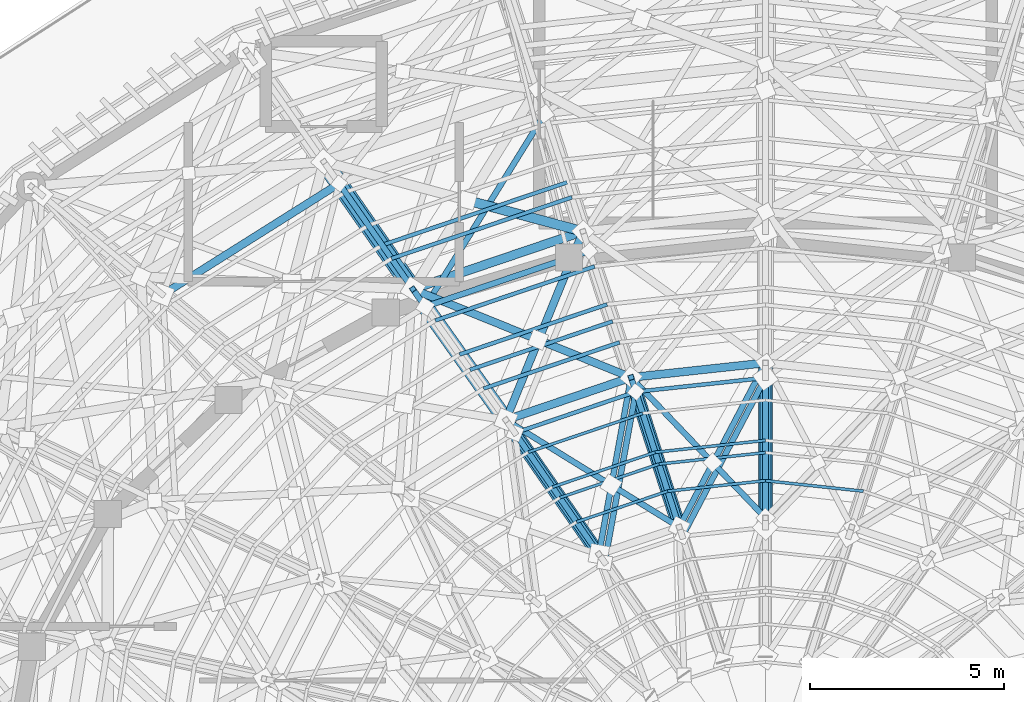
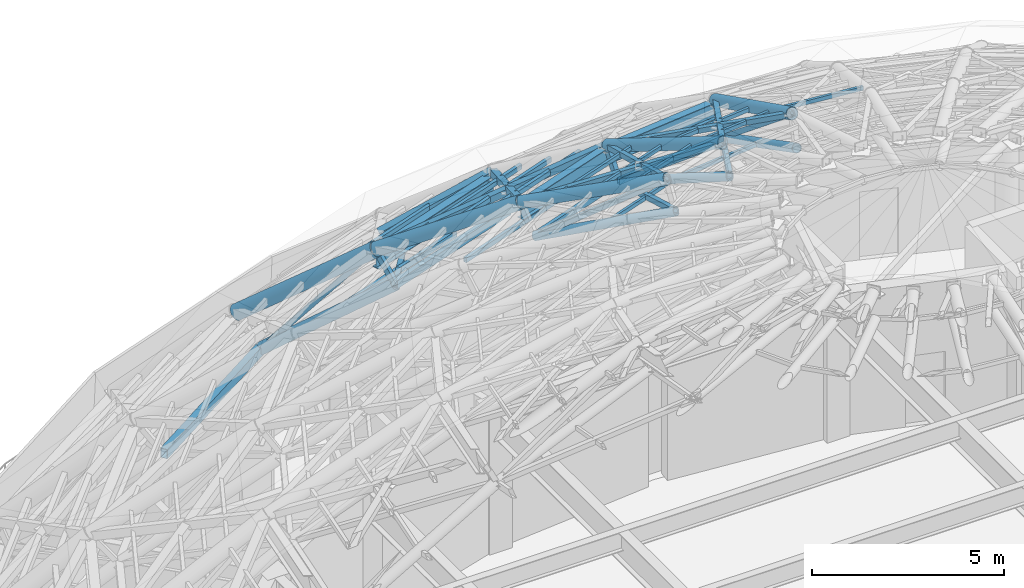
# One storey, part 28 of 50: 46 members, 3 beams.
"""IFC4 building model written with IfcOpenShell, lengths in metres."""

from ifc_helpers import new_model, si_unit, direction, frame, origin, origin_2d, place, context, subcontext, project, spatial, hollow_rectangle, hollow_circle, i_section, extrude, material, material_profile, profile_set, type_object, element, save


model = new_model("IFC4")

# Units and contexts
model_context = context("Model", 3, precision=1e-05, world=origin(), true_north=direction((0.0, 1.0)))
body_context = subcontext(model_context, "Body", "Model", "MODEL_VIEW")
ifc_project = project(units=[si_unit("LENGTHUNIT", "METRE"), si_unit("AREAUNIT", "SQUARE_METRE"), si_unit("VOLUMEUNIT", "CUBIC_METRE"), si_unit("PLANEANGLEUNIT", "RADIAN"), si_unit("MASSUNIT", "GRAM", prefix="KILO")], contexts=[model_context])

# Site, building, storey
site_placement = place(None, origin())
site = spatial("IfcSite", under=ifc_project, at=site_placement, CompositionType="ELEMENT")
building_placement = place(site_placement, origin())
building = spatial("IfcBuilding", under=site, at=building_placement, Name="Cinderbank Siding Concert Hall", CompositionType="ELEMENT")
storey_placement = place(building_placement, frame((0.0, 0.0, 23.699951171875)))
storey = spatial("IfcBuildingStorey", under=building, at=storey_placement, Name="L06", CompositionType="ELEMENT", Elevation=23.699951171875)

# Beams
ifc_material_1 = material(Name="Structural steel AS/NZS 3679.1 Grade 350 (340 MPa)", Category="steel")
ifc_material_profile_1 = material_profile(ifc_material_1, i_section(OverallWidth=0.208984375, OverallDepth=0.532958984375, WebThickness=0.01025390625, FlangeThickness=0.015625, at=origin_2d()), Name="530UB92.4", Category="LoadBearing")
ifc_profile_set_1 = profile_set([ifc_material_profile_1], Name="Structural steel AS/NZS 3679.1 Grade 350 (340 MPa)")
beam_type_1 = type_object("IfcBeamType", Name="BM-UB530H 530UB92.4", PredefinedType="BEAM", material=ifc_profile_set_1)
beam_1_placement = place(storey_placement, frame((122.0, 55.0, 13.733642578125), z_axis=(-0.994212907682, -0.107427623067, 0.0), x_axis=(0.107427623067, -0.994212907682, 0.0)))
element("IfcBeam", 1, at=beam_1_placement, inside=storey, type_object=beam_type_1, Name="L06 Beam BM-UB530H #2077", PredefinedType="BEAM", context=body_context, shape_type="SweptSolid", body=[
    extrude(i_section(OverallWidth=0.208984375, OverallDepth=0.532958984375, WebThickness=0.01025390625, FlangeThickness=0.015625, at=origin_2d()), origin(), (0.0, 0.0, 1.0), 3.488525390625),
])
beam_2_placement = place(storey_placement, frame((118.53173828125, 54.625244140625, 13.733642578125), z_axis=(-0.946763589156, -0.321929660406, 0.0), x_axis=(0.321929660406, -0.946763589156, 0.0)))
element("IfcBeam", 2, at=beam_2_placement, inside=storey, type_object=beam_type_1, Name="L06 Beam BM-UB530H #2078", PredefinedType="BEAM", context=body_context, shape_type="SweptSolid", body=[
    extrude(i_section(OverallWidth=0.208984375, OverallDepth=0.532958984375, WebThickness=0.01025390625, FlangeThickness=0.015625, at=origin_2d()), origin(), (0.0, 0.0, 1.0), 3.413330078125),
])
ifc_material_profile_2 = material_profile(ifc_material_1, i_section(OverallWidth=0.22900390625, OverallDepth=0.611572265625, WebThickness=0.011962890625, FlangeThickness=0.01953125, at=origin_2d()), Name="610UB125", Category="LoadBearing")
ifc_profile_set_2 = profile_set([ifc_material_profile_2], Name="Structural steel AS/NZS 3679.1 Grade 350 (340 MPa)")
beam_type_2 = type_object("IfcBeamType", Name="BM-UB610H 610UB125", PredefinedType="BEAM", material=ifc_profile_set_2)
beam_3_placement = place(storey_placement, frame((117.28955078125, 58.392333984375, 10.994140625), z_axis=(-0.94703248812, -0.321137768636, 0.0), x_axis=(0.321137768636, -0.94703248812, 0.0)))
element("IfcBeam", 3, at=beam_3_placement, inside=storey, type_object=beam_type_2, Name="L06 Beam BM-UB610H #2061", PredefinedType="BEAM", context=body_context, shape_type="SweptSolid", body=[
    extrude(i_section(OverallWidth=0.22900390625, OverallDepth=0.611572265625, WebThickness=0.011962890625, FlangeThickness=0.01953125, at=origin_2d()), origin(), (0.0, 0.0, 1.0), 4.63525390625),
])

# Members
ifc_material_2 = material(Name="Structural steel hollow section AS/NZS 1163 Grade C350L0 (350 MPa)", Category="steel")
ifc_material_profile_3 = material_profile(ifc_material_2, hollow_rectangle(XDim=0.14990234375, YDim=0.14990234375, WallThickness=0.008056640625, at=origin_2d()), Name="150x150x8.0SHS", Category="LoadBearing")
ifc_profile_set_3 = profile_set([ifc_material_profile_3], Name="Structural steel hollow section AS/NZS 1163 Grade C350L0 (350 MPa)")
member_type_1 = type_object("IfcMemberType", Name="BR-SHS150 150x150x8.0SHS Roof Truss", PredefinedType="BRACE", material=ifc_profile_set_3)
member_1_placement = place(storey_placement, frame((116.305419921875, 61.4306640625, 7.150146484375), z_axis=(-0.462465684952, -0.745855761431, 0.479400326848), x_axis=(0.849884772725, -0.526968569357, 0.0)))
element("IfcMember", 4, at=member_1_placement, inside=storey, type_object=member_type_1, Name="L06 Diagonal Brace BR-SHS150 #DBRI-BR-SHS150-L06-0911", PredefinedType="BRACE", context=body_context, shape_type="SweptSolid", body=[
    extrude(hollow_rectangle(XDim=0.14990234375, YDim=0.14990234375, WallThickness=0.008056640625, at=origin_2d()), origin(), (0.0, 0.0, 1.0), 6.6748046875),
])
member_2_placement = place(storey_placement, frame((110.9990234375, 59.6279296875, 7.150146484375), z_axis=(0.357602166858, -0.512474310018, 0.780698899596), x_axis=(0.820080431066, 0.572248273551, 0.0)))
element("IfcMember", 5, at=member_2_placement, inside=storey, type_object=member_type_1, Name="L06 Diagonal Brace BR-SHS150 #DWBD-BR-SHS150-L06-0914", PredefinedType="BRACE", context=body_context, shape_type="SweptSolid", body=[
    extrude(hollow_rectangle(XDim=0.14990234375, YDim=0.14990234375, WallThickness=0.008056640625, at=origin_2d()), origin(), (0.0, 0.0, 1.0), 5.315673828125),
])
member_3_placement = place(storey_placement, frame((113.218505859375, 56.4521484375, 10.35009765625), z_axis=(-0.289889748337, 0.41095481565, 0.864337939294), x_axis=(-0.817151439928, -0.57642304276, 0.0)))
element("IfcMember", 6, at=member_3_placement, inside=storey, type_object=member_type_1, Name="L06 Diagonal Brace BR-SHS150 #DWBV-BR-SHS150-L06-1205", PredefinedType="BRACE", context=body_context, shape_type="SweptSolid", body=[
    extrude(hollow_rectangle(XDim=0.14990234375, YDim=0.14990234375, WallThickness=0.008056640625, at=origin_2d()), origin(), (0.0, 0.0, 1.0), 1.09912109375),
])
member_4_placement = place(storey_placement, frame((122.0, 54.614990234375, 13.050048828125), z_axis=(0.0, -0.774772611985, 0.632239985859), x_axis=(1.0, 0.0, 0.0)))
element("IfcMember", 7, at=member_4_placement, inside=storey, type_object=member_type_1, Name="L06 Diagonal Brace BR-SHS150 #DWBD-BR-SHS150-L06-1466", PredefinedType="BRACE", context=body_context, shape_type="SweptSolid", body=[
    extrude(hollow_rectangle(XDim=0.14990234375, YDim=0.14990234375, WallThickness=0.008056640625, at=origin_2d()), origin(), (0.0, 0.0, 1.0), 4.665771484375),
])
member_5_placement = place(storey_placement, frame((122.0, 55.0, 14.0), z_axis=(-0.429001866407, -0.816924580749, 0.385475846178), x_axis=(0.885345951591, -0.464932840312, 0.0)))
element("IfcMember", 8, at=member_5_placement, inside=storey, type_object=member_type_1, Name="L06 Diagonal Brace BR-SHS150 #DBRO-BR-SHS150-L06-1473", PredefinedType="BRACE", context=body_context, shape_type="SweptSolid", body=[
    extrude(hollow_rectangle(XDim=0.14990234375, YDim=0.14990234375, WallThickness=0.008056640625, at=origin_2d()), origin(), (0.0, 0.0, 1.0), 5.1884765625),
])
member_6_placement = place(storey_placement, frame((118.53173828125, 54.625244140625, 14.0), z_axis=(0.642126011893, -0.671205104397, 0.370348339651), x_axis=(0.722586070263, 0.691280963908, 0.0)))
element("IfcMember", 9, at=member_6_placement, inside=storey, type_object=member_type_1, Name="L06 Diagonal Brace BR-SHS150 #DBRO-BR-SHS150-L06-1474", PredefinedType="BRACE", context=body_context, shape_type="SweptSolid", body=[
    extrude(hollow_rectangle(XDim=0.14990234375, YDim=0.14990234375, WallThickness=0.008056640625, at=origin_2d()), origin(), (0.0, 0.0, 1.0), 3.2744140625),
])
member_7_placement = place(storey_placement, frame((120.653564453125, 52.407470703125, 15.2236328125), z_axis=(0.642135488706, -0.671244078403, 0.37026126094), x_axis=(0.722601023595, 0.691265333066, 0.0)))
element("IfcMember", 10, at=member_7_placement, inside=storey, type_object=member_type_1, Name="L06 Diagonal Brace BR-SHS150 #DBRO-BR-SHS150-L06-1474-S135", PredefinedType="BRACE", context=body_context, shape_type="SweptSolid", body=[
    extrude(hollow_rectangle(XDim=0.14990234375, YDim=0.14990234375, WallThickness=0.008056640625, at=origin_2d()), origin(), (0.0, 0.0, 1.0), 2.096923828125),
])
member_8_placement = place(storey_placement, frame((122.0, 54.614990234375, 13.050048828125), z_axis=(-0.426677007954, -0.812471006394, 0.397287798268), x_axis=(0.885339715406, -0.464944715343, 0.0)))
element("IfcMember", 11, at=member_8_placement, inside=storey, type_object=member_type_1, Name="L06 Diagonal Brace BR-SHS150 #DBRI-BR-SHS150-L06-1475", PredefinedType="BRACE", context=body_context, shape_type="SweptSolid", body=[
    extrude(hollow_rectangle(XDim=0.14990234375, YDim=0.14990234375, WallThickness=0.008056640625, at=origin_2d()), origin(), (0.0, 0.0, 1.0), 5.0341796875),
])
member_9_placement = place(storey_placement, frame((118.6533203125, 54.25341796875, 13.050048828125), z_axis=(0.238143684101, -0.741923135199, 0.626767618164), x_axis=(0.95215246519, 0.305623433384, 0.0)))
element("IfcMember", 12, at=member_9_placement, inside=storey, type_object=member_type_1, Name="L06 Diagonal Brace BR-SHS150 #DWBD-BR-SHS150-L06-1478", PredefinedType="BRACE", context=body_context, shape_type="SweptSolid", body=[
    extrude(hollow_rectangle(XDim=0.14990234375, YDim=0.14990234375, WallThickness=0.008056640625, at=origin_2d()), origin(), (0.0, 0.0, 1.0), 4.70654296875),
])
member_10_placement = place(storey_placement, frame((118.6533203125, 54.25341796875, 13.050048828125), z_axis=(-0.118345506347, 0.361928124833, 0.924663383931), x_axis=(-0.950477599938, -0.310793069448, 0.0)))
element("IfcMember", 13, at=member_10_placement, inside=storey, type_object=member_type_1, Name="L06 Diagonal Brace BR-SHS150 #DWBV-BR-SHS150-L06-1481", PredefinedType="BRACE", context=body_context, shape_type="SweptSolid", body=[
    extrude(hollow_rectangle(XDim=0.14990234375, YDim=0.14990234375, WallThickness=0.008056640625, at=origin_2d()), origin(), (0.0, 0.0, 1.0), 1.02734375),
])
member_11_placement = place(storey_placement, frame((118.53173828125, 54.625244140625, 14.0), z_axis=(-0.164677286939, -0.903380831492, 0.395960180395), x_axis=(0.983788114666, -0.179334730159, 0.0)))
element("IfcMember", 14, at=member_11_placement, inside=storey, type_object=member_type_1, Name="L06 Diagonal Brace BR-SHS150 #DBRO-BR-SHS150-L06-1485", PredefinedType="BRACE", context=body_context, shape_type="SweptSolid", body=[
    extrude(hollow_rectangle(XDim=0.14990234375, YDim=0.14990234375, WallThickness=0.008056640625, at=origin_2d()), origin(), (0.0, 0.0, 1.0), 5.051025390625),
])
member_12_placement = place(storey_placement, frame((115.300048828125, 53.5263671875, 14.0), z_axis=(0.79512867802, -0.491374066951, 0.3554179395), x_axis=(0.525698224541, 0.850671133115, 0.0)))
element("IfcMember", 15, at=member_12_placement, inside=storey, type_object=member_type_1, Name="L06 Diagonal Brace BR-SHS150 #DBRO-BR-SHS150-L06-1486", PredefinedType="BRACE", context=body_context, shape_type="SweptSolid", body=[
    extrude(hollow_rectangle(XDim=0.14990234375, YDim=0.14990234375, WallThickness=0.008056640625, at=origin_2d()), origin(), (0.0, 0.0, 1.0), 3.411865234375),
])
member_13_placement = place(storey_placement, frame((118.036865234375, 51.835205078125, 15.223388671875), z_axis=(0.795103050729, -0.49140854653, 0.355427600389), x_axis=(0.525737178875, 0.850647058861, 0.0)))
element("IfcMember", 16, at=member_13_placement, inside=storey, type_object=member_type_1, Name="L06 Diagonal Brace BR-SHS150 #DBRO-BR-SHS150-L06-1486-S136", PredefinedType="BRACE", context=body_context, shape_type="SweptSolid", body=[
    extrude(hollow_rectangle(XDim=0.14990234375, YDim=0.14990234375, WallThickness=0.008056640625, at=origin_2d()), origin(), (0.0, 0.0, 1.0), 2.18505859375),
])
member_14_placement = place(storey_placement, frame((118.6533203125, 54.25341796875, 13.050048828125), z_axis=(-0.163742846478, -0.89819524911, 0.407962712393), x_axis=(0.983786020014, -0.179346220548, 0.0)))
element("IfcMember", 17, at=member_14_placement, inside=storey, type_object=member_type_1, Name="L06 Diagonal Brace BR-SHS150 #DBRI-BR-SHS150-L06-1487", PredefinedType="BRACE", context=body_context, shape_type="SweptSolid", body=[
    extrude(hollow_rectangle(XDim=0.14990234375, YDim=0.14990234375, WallThickness=0.008056640625, at=origin_2d()), origin(), (0.0, 0.0, 1.0), 4.90234375),
])
member_15_placement = place(storey_placement, frame((115.534423828125, 53.19287109375, 13.050048828125), z_axis=(0.44966610058, -0.650064082045, 0.612549661027), x_axis=(0.822416090957, 0.568886432722, 0.0)))
element("IfcMember", 18, at=member_15_placement, inside=storey, type_object=member_type_1, Name="L06 Diagonal Brace BR-SHS150 #DWBD-BR-SHS150-L06-1490", PredefinedType="BRACE", context=body_context, shape_type="SweptSolid", body=[
    extrude(hollow_rectangle(XDim=0.14990234375, YDim=0.14990234375, WallThickness=0.008056640625, at=origin_2d()), origin(), (0.0, 0.0, 1.0), 4.81591796875),
])
ifc_material_profile_4 = material_profile(ifc_material_2, hollow_rectangle(XDim=0.199951171875, YDim=0.199951171875, WallThickness=0.009033203125, at=origin_2d()), Name="200x200x9.0SHS", Category="LoadBearing")
ifc_profile_set_4 = profile_set([ifc_material_profile_4], Name="Structural steel hollow section AS/NZS 1163 Grade C350L0 (350 MPa)")
member_type_2 = type_object("IfcMemberType", Name="BR-SHS200 200x200x9.0SHS Roof Truss", PredefinedType="BRACE", material=ifc_profile_set_4)
member_16_placement = place(storey_placement, frame((117.28955078125, 58.392333984375, 11.300048828125), z_axis=(-0.336645747744, -0.823375432358, 0.456861617904), x_axis=(0.925621655258, -0.378450196613, 0.0)))
element("IfcMember", 19, at=member_16_placement, inside=storey, type_object=member_type_2, Name="L06 Diagonal Brace BR-SHS200 #DBRO-BR-SHS200-L06-1197", PredefinedType="BRACE", context=body_context, shape_type="SweptSolid", body=[
    extrude(hollow_rectangle(XDim=0.199951171875, YDim=0.199951171875, WallThickness=0.009033203125, at=origin_2d()), origin(), (0.0, 0.0, 1.0), 5.90966796875),
])
member_17_placement = place(storey_placement, frame((112.89990234375, 56.90380859375, 11.300048828125), z_axis=(0.847110005353, -0.342748324795, 0.406113561312), x_axis=(0.375070958437, 0.926996103626, 0.0)))
element("IfcMember", 20, at=member_17_placement, inside=storey, type_object=member_type_2, Name="L06 Diagonal Brace BR-SHS200 #DBRO-BR-SHS200-L06-1198", PredefinedType="BRACE", context=body_context, shape_type="SweptSolid", body=[
    extrude(hollow_rectangle(XDim=0.199951171875, YDim=0.199951171875, WallThickness=0.009033203125, at=origin_2d()), origin(), (0.0, 0.0, 1.0), 3.814453125),
])
member_18_placement = place(storey_placement, frame((116.156494140625, 55.586181640625, 12.861328125), z_axis=(0.847126729661, -0.342716703458, 0.406105362025), x_axis=(0.375034859642, 0.927010708705, 0.0)))
element("IfcMember", 21, at=member_18_placement, inside=storey, type_object=member_type_2, Name="L06 Diagonal Brace BR-SHS200 #DBRO-BR-SHS200-L06-1198-S112", PredefinedType="BRACE", context=body_context, shape_type="SweptSolid", body=[
    extrude(hollow_rectangle(XDim=0.199951171875, YDim=0.199951171875, WallThickness=0.009033203125, at=origin_2d()), origin(), (0.0, 0.0, 1.0), 2.803955078125),
])
ifc_material_profile_5 = material_profile(ifc_material_2, hollow_rectangle(XDim=0.25, YDim=0.25, WallThickness=0.010009765625, at=origin_2d()), Name="250x250x10.0SHS", Category="LoadBearing")
ifc_profile_set_5 = profile_set([ifc_material_profile_5], Name="Structural steel hollow section AS/NZS 1163 Grade C350L0 (350 MPa)")
member_type_3 = type_object("IfcMemberType", Name="BR-SHS250 250x250x10.0SHS Roof Truss", PredefinedType="BRACE", material=ifc_profile_set_5)
member_19_placement = place(storey_placement, frame((114.332763671875, 59.18896484375, 9.8857421875), z_axis=(0.876591247642, -0.236175149951, 0.419295937379), x_axis=(0.260147878006, 0.965568786555, 0.0)))
element("IfcMember", 22, at=member_19_placement, inside=storey, type_object=member_type_3, Name="L06 Diagonal Brace BR-SHS250 #DBRO-BR-SHS250-L06-0910-S88", PredefinedType="BRACE", context=body_context, shape_type="SweptSolid", body=[
    extrude(hollow_rectangle(XDim=0.25, YDim=0.25, WallThickness=0.010009765625, at=origin_2d()), origin(), (0.0, 0.0, 1.0), 3.373046875),
])
ifc_material_profile_6 = material_profile(ifc_material_2, hollow_circle(Radius=0.136474609375, WallThickness=0.00927734375, at=origin_2d()), Name="273.1x9.3CHS", Category="LoadBearing")
ifc_profile_set_6 = profile_set([ifc_material_profile_6], Name="Structural steel hollow section AS/NZS 1163 Grade C350L0 (350 MPa)")
member_type_4 = type_object("IfcMemberType", Name="DR-CHS273 273.1x9.3CHS Roof Truss", PredefinedType="RAFTER", material=ifc_profile_set_6)
member_20_placement = place(storey_placement, frame((122.0, 54.614990234375, 13.050048828125), z_axis=(0.0, -0.887898978263, 0.460038481433), x_axis=(1.0, 0.0, 0.0)))
element("IfcMember", 23, at=member_20_placement, inside=storey, type_object=member_type_4, Name="L06 Roof Truss Member DR-CHS273 #1465", PredefinedType="RAFTER", context=body_context, shape_type="SweptSolid", body=[
    extrude(hollow_circle(Radius=0.136474609375, WallThickness=0.00927734375, at=origin_2d()), origin(), (0.0, 0.0, 1.0), 4.347412109375),
])
member_21_placement = place(storey_placement, frame((118.6533203125, 54.25341796875, 13.050048828125), z_axis=(0.272588147626, -0.847854621293, 0.454794726141), x_axis=(0.95200780418, 0.306073750558, 0.0)))
element("IfcMember", 24, at=member_21_placement, inside=storey, type_object=member_type_4, Name="L06 Roof Truss Member DR-CHS273 #1477", PredefinedType="RAFTER", context=body_context, shape_type="SweptSolid", body=[
    extrude(hollow_circle(Radius=0.136474609375, WallThickness=0.00927734375, at=origin_2d()), origin(), (0.0, 0.0, 1.0), 4.397705078125),
])
member_22_placement = place(storey_placement, frame((115.534423828125, 53.19287109375, 13.050048828125), z_axis=(0.511071945426, -0.737598511307, 0.441309305041), x_axis=(0.821969527033, 0.569531471149, 0.0)))
element("IfcMember", 25, at=member_22_placement, inside=storey, type_object=member_type_4, Name="L06 Roof Truss Member DR-CHS273 #1489", PredefinedType="RAFTER", context=body_context, shape_type="SweptSolid", body=[
    extrude(hollow_circle(Radius=0.136474609375, WallThickness=0.00927734375, at=origin_2d()), origin(), (0.0, 0.0, 1.0), 4.531982421875),
])
ifc_material_profile_7 = material_profile(ifc_material_2, hollow_circle(Radius=0.177734375, WallThickness=0.0126953125, at=origin_2d()), Name="355.6x12.7CHS", Category="LoadBearing")
ifc_profile_set_7 = profile_set([ifc_material_profile_7], Name="Structural steel hollow section AS/NZS 1163 Grade C350L0 (350 MPa)")
member_type_5 = type_object("IfcMemberType", Name="DR-CHS355 355.6x12.7CHS Roof Truss", PredefinedType="RAFTER", material=ifc_profile_set_7)
member_23_placement = place(storey_placement, frame((110.9990234375, 59.6279296875, 7.150146484375), z_axis=(0.441681473621, -0.631986867107, 0.636796730256), x_axis=(0.819663892962, 0.572844745612, 0.0)))
element("IfcMember", 26, at=member_23_placement, inside=storey, type_object=member_type_5, Name="L06 Roof Truss Member DR-CHS355 #913", PredefinedType="RAFTER", context=body_context, shape_type="SweptSolid", body=[
    extrude(hollow_circle(Radius=0.177734375, WallThickness=0.0126953125, at=origin_2d()), origin(), (0.0, 0.0, 1.0), 5.025146484375),
])
member_24_placement = place(storey_placement, frame((122.0, 55.0, 14.0), z_axis=(0.0, -0.894427191, 0.4472135955), x_axis=(1.0, 0.0, 0.0)))
element("IfcMember", 27, at=member_24_placement, inside=storey, type_object=member_type_5, Name="L06 Roof Truss Member DR-CHS355 #1464", PredefinedType="RAFTER", context=body_context, shape_type="SweptSolid", body=[
    extrude(hollow_circle(Radius=0.177734375, WallThickness=0.0126953125, at=origin_2d()), origin(), (0.0, 0.0, 1.0), 4.47216796875),
])
member_25_placement = place(storey_placement, frame((118.53173828125, 54.625244140625, 14.0), z_axis=(0.274592480014, -0.853939985988, 0.442024286946), x_axis=(0.951992253749, 0.3061221142, 0.0)))
element("IfcMember", 28, at=member_25_placement, inside=storey, type_object=member_type_5, Name="L06 Roof Truss Member DR-CHS355 #1476", PredefinedType="RAFTER", context=body_context, shape_type="SweptSolid", body=[
    extrude(hollow_circle(Radius=0.177734375, WallThickness=0.0126953125, at=origin_2d()), origin(), (0.0, 0.0, 1.0), 4.524658203125),
])
member_26_placement = place(storey_placement, frame((115.300048828125, 53.5263671875, 14.0), z_axis=(0.51447956634, -0.742619589705, 0.428750417849), x_axis=(0.822006531682, 0.569478060923, 0.0)))
element("IfcMember", 29, at=member_26_placement, inside=storey, type_object=member_type_5, Name="L06 Roof Truss Member DR-CHS355 #1488", PredefinedType="RAFTER", context=body_context, shape_type="SweptSolid", body=[
    extrude(hollow_circle(Radius=0.177734375, WallThickness=0.0126953125, at=origin_2d()), origin(), (0.0, 0.0, 1.0), 4.664794921875),
])
ifc_material_profile_8 = material_profile(ifc_material_2, hollow_circle(Radius=0.203125, WallThickness=0.01611328125, at=origin_2d()), Name="406.4x16.0CHS", Category="LoadBearing")
ifc_profile_set_8 = profile_set([ifc_material_profile_8], Name="Structural steel hollow section AS/NZS 1163 Grade C350L0 (350 MPa)")
member_type_6 = type_object("IfcMemberType", Name="DR-CHS406 406.4x16.0CHS Roof Truss", PredefinedType="RAFTER", material=ifc_profile_set_8)
member_27_placement = place(storey_placement, frame((112.89990234375, 56.90380859375, 11.300048828125), z_axis=(0.485323447255, -0.682938111008, 0.545945682351), x_axis=(0.815136478284, 0.579268954606, 0.0)))
element("IfcMember", 30, at=member_27_placement, inside=storey, type_object=member_type_6, Name="L06 Roof Truss Member DR-CHS406 #1200", PredefinedType="RAFTER", context=body_context, shape_type="SweptSolid", body=[
    extrude(hollow_circle(Radius=0.203125, WallThickness=0.01611328125, at=origin_2d()), origin(), (0.0, 0.0, 1.0), 4.945556640625),
])
ifc_material_profile_9 = material_profile(ifc_material_2, hollow_circle(Radius=0.228515625, WallThickness=0.01611328125, at=origin_2d()), Name="457.0x16.0CHS", Category="LoadBearing")
ifc_profile_set_9 = profile_set([ifc_material_profile_9], Name="Structural steel hollow section AS/NZS 1163 Grade C350L0 (350 MPa)")
member_type_7 = type_object("IfcMemberType", Name="DR-CHS457 457.0x16.0CHS Roof Truss", PredefinedType="RAFTER", material=ifc_profile_set_9)
member_28_placement = place(storey_placement, frame((110.60009765625, 60.194580078125, 8.10009765625), z_axis=(0.447955638563, -0.640976014033, 0.623286046141), x_axis=(0.819668785682, 0.572837744723, 0.0)))
element("IfcMember", 31, at=member_28_placement, inside=storey, type_object=member_type_7, Name="L06 Roof Truss Member DR-CHS457 #912", PredefinedType="RAFTER", context=body_context, shape_type="SweptSolid", body=[
    extrude(hollow_circle(Radius=0.228515625, WallThickness=0.01611328125, at=origin_2d()), origin(), (0.0, 0.0, 1.0), 5.134033203125),
])
ifc_material_profile_10 = material_profile(ifc_material_2, hollow_rectangle(XDim=0.074951171875, YDim=0.125, WallThickness=0.0048828125, at=origin_2d()), Name="125x75x5.0RHS", Category="LoadBearing")
ifc_profile_set_10 = profile_set([ifc_material_profile_10], Name="Structural steel hollow section AS/NZS 1163 Grade C350L0 (350 MPa)")
member_type_8 = type_object("IfcMemberType", Name="PR-RHS125 125x75x5.0RHS Roof Truss", PredefinedType="PURLIN", material=ifc_profile_set_10)
member_29_placement = place(storey_placement, frame((124.52392578125, 51.688720703125, 15.52001953125), z_axis=(-0.994274901123, 0.10685233267, 0.0), x_axis=(-0.10685233267, -0.994274901123, 0.0)))
element("IfcMember", 32, at=member_29_placement, inside=storey, type_object=member_type_8, Name="L06 Roof Truss Member PR-RHS125 #1460", PredefinedType="PURLIN", context=body_context, shape_type="SweptSolid", body=[
    extrude(hollow_rectangle(XDim=0.074951171875, YDim=0.125, WallThickness=0.0048828125, at=origin_2d()), origin(), (0.0, 0.0, 1.0), 2.53857421875),
])
member_30_placement = place(storey_placement, frame((122.0, 52.68505859375, 14.050048828125), z_axis=(-0.994240427039, -0.107172632898, 0.0), x_axis=(0.107172632898, -0.994240427039, 0.0)))
element("IfcMember", 33, at=member_30_placement, inside=storey, type_object=member_type_8, Name="L06 Roof Truss Member PR-RHS125 #1468", PredefinedType="PURLIN", context=body_context, shape_type="SweptSolid", body=[
    extrude(hollow_rectangle(XDim=0.074951171875, YDim=0.125, WallThickness=0.0048828125, at=origin_2d()), origin(), (0.0, 0.0, 1.0), 2.76318359375),
])
member_31_placement = place(storey_placement, frame((122.0, 53.0, 15.0), z_axis=(-0.994249324739, -0.107090056759, 0.0), x_axis=(0.107090056759, -0.994249324739, 0.0)))
element("IfcMember", 34, at=member_31_placement, inside=storey, type_object=member_type_8, Name="L06 Roof Truss Member PR-RHS125 #1471", PredefinedType="PURLIN", context=body_context, shape_type="SweptSolid", body=[
    extrude(hollow_rectangle(XDim=0.074951171875, YDim=0.125, WallThickness=0.0048828125, at=origin_2d()), origin(), (0.0, 0.0, 1.0), 2.86328125),
])
member_32_placement = place(storey_placement, frame((122.0, 51.9599609375, 15.52001953125), z_axis=(-0.994274901123, -0.10685233267, 0.0), x_axis=(0.10685233267, -0.994274901123, 0.0)))
element("IfcMember", 35, at=member_32_placement, inside=storey, type_object=member_type_8, Name="L06 Roof Truss Member PR-RHS125 #1472", PredefinedType="PURLIN", context=body_context, shape_type="SweptSolid", body=[
    extrude(hollow_rectangle(XDim=0.074951171875, YDim=0.125, WallThickness=0.0048828125, at=origin_2d()), origin(), (0.0, 0.0, 1.0), 2.53857421875),
])
member_33_placement = place(storey_placement, frame((119.252685546875, 52.388916015625, 14.050048828125), z_axis=(-0.947118458483, -0.320884131114, 0.0), x_axis=(0.320884131114, -0.947118458483, 0.0)))
element("IfcMember", 36, at=member_33_placement, inside=storey, type_object=member_type_8, Name="L06 Roof Truss Member PR-RHS125 #1480", PredefinedType="PURLIN", context=body_context, shape_type="SweptSolid", body=[
    extrude(hollow_rectangle(XDim=0.074951171875, YDim=0.125, WallThickness=0.0048828125, at=origin_2d()), origin(), (0.0, 0.0, 1.0), 2.703369140625),
])
member_34_placement = place(storey_placement, frame((118.830078125, 53.697998046875, 14.47998046875), z_axis=(-0.946891929051, -0.321551978221, 0.0), x_axis=(0.321551978221, -0.946891929051, 0.0)))
element("IfcMember", 37, at=member_34_placement, inside=storey, type_object=member_type_8, Name="L06 Roof Truss Member PR-RHS125 #1482", PredefinedType="PURLIN", context=body_context, shape_type="SweptSolid", body=[
    extrude(hollow_rectangle(XDim=0.074951171875, YDim=0.125, WallThickness=0.0048828125, at=origin_2d()), origin(), (0.0, 0.0, 1.0), 3.119873046875),
])
member_35_placement = place(storey_placement, frame((119.153076171875, 52.693359375, 15.0), z_axis=(-0.947085190011, -0.320982309267, 0.0), x_axis=(0.320982309267, -0.947085190011, 0.0)))
element("IfcMember", 38, at=member_35_placement, inside=storey, type_object=member_type_8, Name="L06 Roof Truss Member PR-RHS125 #1483", PredefinedType="PURLIN", context=body_context, shape_type="SweptSolid", body=[
    extrude(hollow_rectangle(XDim=0.074951171875, YDim=0.125, WallThickness=0.0048828125, at=origin_2d()), origin(), (0.0, 0.0, 1.0), 2.80126953125),
])
member_36_placement = place(storey_placement, frame((119.47607421875, 51.688720703125, 15.52001953125), z_axis=(-0.947327545455, -0.320266329204, 0.0), x_axis=(0.320266329204, -0.947327545455, 0.0)))
element("IfcMember", 39, at=member_36_placement, inside=storey, type_object=member_type_8, Name="L06 Roof Truss Member PR-RHS125 #1484", PredefinedType="PURLIN", context=body_context, shape_type="SweptSolid", body=[
    extrude(hollow_rectangle(XDim=0.074951171875, YDim=0.125, WallThickness=0.0048828125, at=origin_2d()), origin(), (0.0, 0.0, 1.0), 2.48291015625),
])
ifc_material_profile_11 = material_profile(ifc_material_2, hollow_rectangle(XDim=0.10009765625, YDim=0.14990234375, WallThickness=0.006103515625, at=origin_2d()), Name="150x100x6.0RHS", Category="LoadBearing")
ifc_profile_set_11 = profile_set([ifc_material_profile_11], Name="Structural steel hollow section AS/NZS 1163 Grade C350L0 (350 MPa)")
member_type_9 = type_object("IfcMemberType", Name="PR-RHS150 150x100x6.0RHS Roof Truss", PredefinedType="PURLIN", material=ifc_profile_set_11)
member_37_placement = place(storey_placement, frame((118.0537109375, 56.07080078125, 11.699951171875), z_axis=(-0.946927451321, -0.32144735484, 0.0), x_axis=(0.32144735484, -0.946927451321, 0.0)))
element("IfcMember", 40, at=member_37_placement, inside=storey, type_object=member_type_9, Name="L06 Roof Truss Member PR-RHS150 #1192", PredefinedType="PURLIN", context=body_context, shape_type="SweptSolid", body=[
    extrude(hollow_rectangle(XDim=0.10009765625, YDim=0.14990234375, WallThickness=0.006103515625, at=origin_2d()), origin(), (0.0, 0.0, 1.0), 3.88330078125),
])
member_38_placement = place(storey_placement, frame((117.587646484375, 57.48828125, 11.947998046875), z_axis=(-0.94697717274, -0.321300847042, 0.0), x_axis=(0.321300847042, -0.94697717274, 0.0)))
element("IfcMember", 41, at=member_38_placement, inside=storey, type_object=member_type_9, Name="L06 Roof Truss Member PR-RHS150 #1194", PredefinedType="PURLIN", context=body_context, shape_type="SweptSolid", body=[
    extrude(hollow_rectangle(XDim=0.10009765625, YDim=0.14990234375, WallThickness=0.006103515625, at=origin_2d()), origin(), (0.0, 0.0, 1.0), 4.341796875),
])
member_39_placement = place(storey_placement, frame((117.91064453125, 56.5087890625, 12.650146484375), z_axis=(-0.946915393689, -0.321482872319, 0.0), x_axis=(0.321482872319, -0.946915393689, 0.0)))
element("IfcMember", 42, at=member_39_placement, inside=storey, type_object=member_type_9, Name="L06 Roof Truss Member PR-RHS150 #1195", PredefinedType="PURLIN", context=body_context, shape_type="SweptSolid", body=[
    extrude(hollow_rectangle(XDim=0.10009765625, YDim=0.14990234375, WallThickness=0.006103515625, at=origin_2d()), origin(), (0.0, 0.0, 1.0), 4.024169921875),
])
member_40_placement = place(storey_placement, frame((118.233642578125, 55.529296875, 13.35205078125), z_axis=(-0.946842982336, -0.321696078312, 0.0), x_axis=(0.321696078312, -0.946842982336, 0.0)))
element("IfcMember", 43, at=member_40_placement, inside=storey, type_object=member_type_9, Name="L06 Roof Truss Member PR-RHS150 #1196", PredefinedType="PURLIN", context=body_context, shape_type="SweptSolid", body=[
    extrude(hollow_rectangle(XDim=0.10009765625, YDim=0.14990234375, WallThickness=0.006103515625, at=origin_2d()), origin(), (0.0, 0.0, 1.0), 3.70654296875),
])
ifc_material_profile_12 = material_profile(ifc_material_2, hollow_rectangle(XDim=0.10009765625, YDim=0.199951171875, WallThickness=0.008056640625, at=origin_2d()), Name="200x100x8.0RHS", Category="LoadBearing")
ifc_profile_set_12 = profile_set([ifc_material_profile_12], Name="Structural steel hollow section AS/NZS 1163 Grade C350L0 (350 MPa)")
member_type_10 = type_object("IfcMemberType", Name="PR-RHS200 200x100x8.0RHS Roof Truss", PredefinedType="PURLIN", material=ifc_profile_set_12)
member_41_placement = place(storey_placement, frame((116.8798828125, 59.65966796875, 8.75), z_axis=(-0.94692445284, -0.321456187705, 0.0), x_axis=(0.321456187705, -0.94692445284, 0.0)))
element("IfcMember", 44, at=member_41_placement, inside=storey, type_object=member_type_10, Name="L06 Roof Truss Member PR-RHS200 #904", PredefinedType="PURLIN", context=body_context, shape_type="SweptSolid", body=[
    extrude(hollow_rectangle(XDim=0.10009765625, YDim=0.199951171875, WallThickness=0.008056640625, at=origin_2d()), origin(), (0.0, 0.0, 1.0), 5.038330078125),
])
member_42_placement = place(storey_placement, frame((117.00390625, 59.273193359375, 10.531982421875), z_axis=(-0.946986523989, -0.321273284579, 0.0), x_axis=(0.321273284579, -0.946986523989, 0.0)))
element("IfcMember", 45, at=member_42_placement, inside=storey, type_object=member_type_10, Name="L06 Roof Truss Member PR-RHS200 #908", PredefinedType="PURLIN", context=body_context, shape_type="SweptSolid", body=[
    extrude(hollow_rectangle(XDim=0.10009765625, YDim=0.199951171875, WallThickness=0.008056640625, at=origin_2d()), origin(), (0.0, 0.0, 1.0), 4.916748046875),
])
member_43_placement = place(storey_placement, frame((122.0, 54.614990234375, 13.050048828125), z_axis=(-0.994214376607, -0.107414027703, 0.0), x_axis=(0.107414027703, -0.994214376607, 0.0)))
element("IfcMember", 46, at=member_43_placement, inside=storey, type_object=member_type_10, Name="L06 Roof Truss Member PR-RHS200 #1179", PredefinedType="PURLIN", context=body_context, shape_type="SweptSolid", body=[
    extrude(hollow_rectangle(XDim=0.10009765625, YDim=0.199951171875, WallThickness=0.008056640625, at=origin_2d()), origin(), (0.0, 0.0, 1.0), 3.3662109375),
])
member_44_placement = place(storey_placement, frame((118.6533203125, 54.25341796875, 13.050048828125), z_axis=(-0.946761450958, -0.321935948568, 0.0), x_axis=(0.321935948568, -0.946761450958, 0.0)))
element("IfcMember", 47, at=member_44_placement, inside=storey, type_object=member_type_10, Name="L06 Roof Truss Member PR-RHS200 #1191", PredefinedType="PURLIN", context=body_context, shape_type="SweptSolid", body=[
    extrude(hollow_rectangle(XDim=0.10009765625, YDim=0.199951171875, WallThickness=0.008056640625, at=origin_2d()), origin(), (0.0, 0.0, 1.0), 3.294189453125),
])
ifc_material_profile_13 = material_profile(ifc_material_2, hollow_rectangle(XDim=0.14990234375, YDim=0.25, WallThickness=0.009033203125, at=origin_2d()), Name="250x150x9.0RHS", Category="LoadBearing")
ifc_profile_set_13 = profile_set([ifc_material_profile_13], Name="Structural steel hollow section AS/NZS 1163 Grade C350L0 (350 MPa)")
member_type_11 = type_object("IfcMemberType", Name="PR-RHS250 250x150x9.0RHS Roof Truss", PredefinedType="PURLIN", material=ifc_profile_set_13)
member_45_placement = place(storey_placement, frame((117.454345703125, 57.888671875, 10.35009765625), z_axis=(-0.947021990072, -0.321168725625, 0.0), x_axis=(0.321168725625, -0.947021990072, 0.0)))
element("IfcMember", 48, at=member_45_placement, inside=storey, type_object=member_type_11, Name="L06 Roof Truss Member PR-RHS250 #903", PredefinedType="PURLIN", context=body_context, shape_type="SweptSolid", body=[
    extrude(hollow_rectangle(XDim=0.14990234375, YDim=0.25, WallThickness=0.009033203125, at=origin_2d()), origin(), (0.0, 0.0, 1.0), 4.472900390625),
])
ifc_material_profile_14 = material_profile(ifc_material_2, hollow_rectangle(XDim=0.199951171875, YDim=0.300048828125, WallThickness=0.010009765625, at=origin_2d()), Name="300x200x10.0RHS", Category="LoadBearing")
ifc_profile_set_14 = profile_set([ifc_material_profile_14], Name="Structural steel hollow section AS/NZS 1163 Grade C350L0 (350 MPa)")
member_type_12 = type_object("IfcMemberType", Name="PR-RHS300 300x200x10.0RHS Roof Truss", PredefinedType="PURLIN", material=ifc_profile_set_14)
member_46_placement = place(storey_placement, frame((110.9990234375, 59.6279296875, 7.150146484375), z_axis=(-0.846335804731, -0.532649702554, 0.0), x_axis=(0.532649702554, -0.846335804731, 0.0)))
element("IfcMember", 49, at=member_46_placement, inside=storey, type_object=member_type_12, Name="L06 Roof Truss Member PR-RHS300 #627", PredefinedType="PURLIN", context=body_context, shape_type="SweptSolid", body=[
    extrude(hollow_rectangle(XDim=0.199951171875, YDim=0.300048828125, WallThickness=0.010009765625, at=origin_2d()), origin(), (0.0, 0.0, 1.0), 5.38427734375),
])

save(model, "model.ifc")
